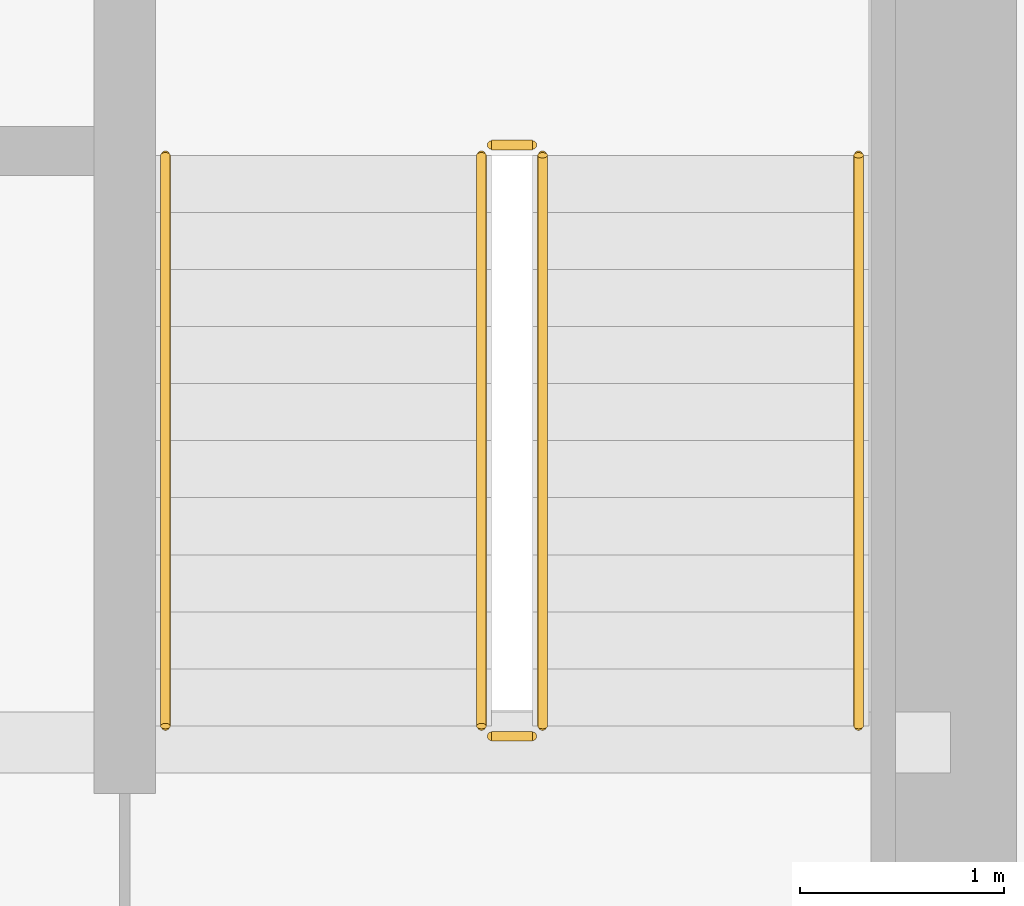
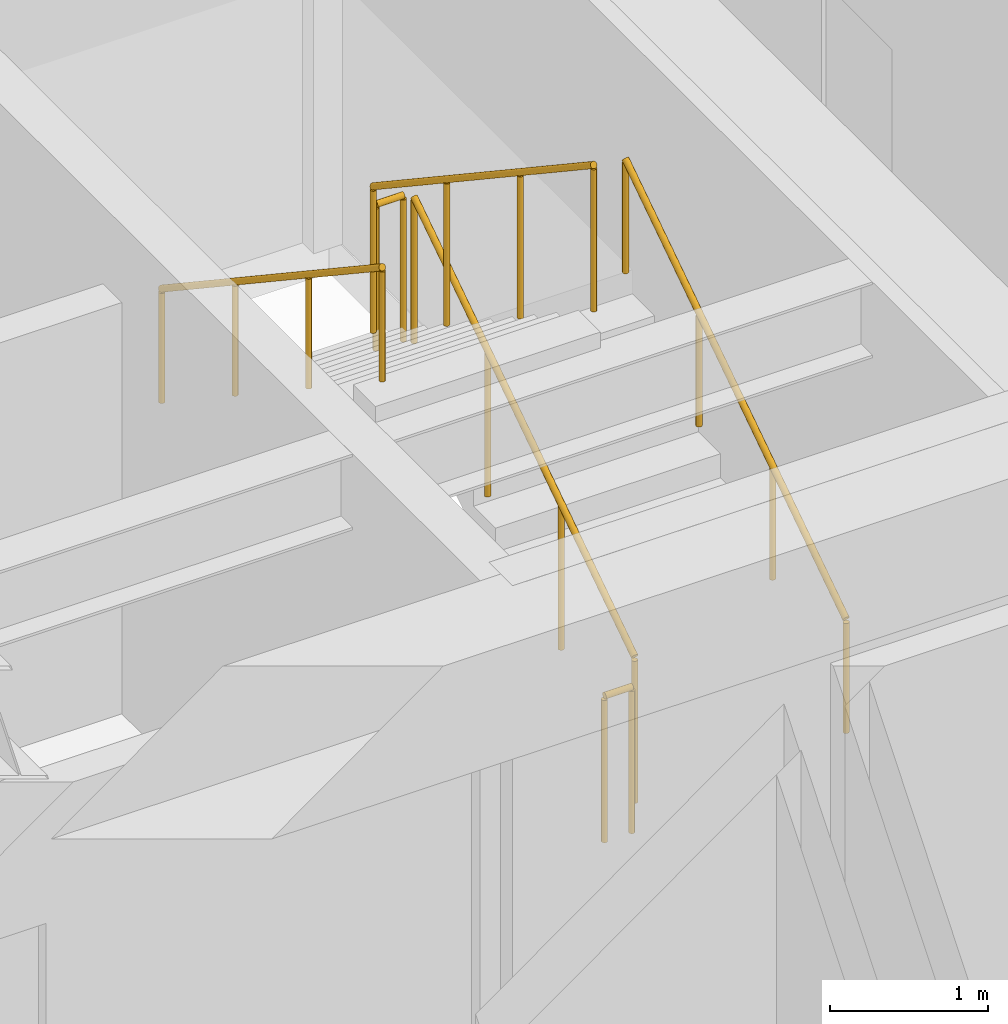
# One storey, part 31 of 31: 6 railings.
"""IFC4 building model written with IfcOpenShell, lengths in metres."""

import ifcopenshell
import ifcopenshell.guid

model = None  # the IFC model being written
_history = None  # IfcOwnerHistory: only IFC2X3 demands one
_inside = {}  # id of a spatial element -> (the spatial element, [elements in it])
_under = {}  # id of a project, library or spatial element -> (it, [spatial elements below it])
_declared = {}  # id of a project -> (the project, [libraries it declares])
_typed = {}  # id of a type object -> (the type object, [elements of that type])
_made_of = {}  # id of a material, layer set ... -> (it, [elements and type objects made of it])


def new_model(schema):
    """Start an empty IFC model of exactly this schema.

    Asked for "IFC4X3", IfcOpenShell would pick the latest addendum, in which some entities
    have other attributes; the version numbers below select the first issue.
    IFC2X3 requires an IfcOwnerHistory on every rooted entity: one is made here for all.
    """
    global model, _history
    if schema == "IFC4X3":
        model = ifcopenshell.file(schema_version=(4, 3, 0, 0))
    else:
        model = ifcopenshell.file(schema=schema)
    _inside.clear()
    _under.clear()
    _declared.clear()
    _typed.clear()
    _made_of.clear()
    _history = None
    if model.schema == "IFC2X3":
        org = make("IfcOrganization", Name="unknown")
        user = make(
            "IfcPersonAndOrganization",
            ThePerson=make("IfcPerson", FamilyName="unknown"),
            TheOrganization=org,
        )
        app = make(
            "IfcApplication",
            ApplicationDeveloper=org,
            Version="unknown",
            ApplicationFullName="unknown",
            ApplicationIdentifier="unknown",
        )
        _history = make(
            "IfcOwnerHistory",
            OwningUser=user,
            OwningApplication=app,
            ChangeAction="ADDED",
            CreationDate=0,
        )
    return model


def make(cls, **values):
    """One entity of the class cls with the attributes given. An attribute that is None is left unset."""
    return model.create_entity(
        cls, **{name: value for name, value in values.items() if value is not None}
    )


def rooted(cls, **values):
    """An entity with a GlobalId (a new one), such as an element, a storey or a relation."""
    return make(cls, GlobalId=ifcopenshell.guid.new(), OwnerHistory=_history, **values)


def si_unit(unit_type, name, prefix=None):
    """IfcSIUnit, for example si_unit("LENGTHUNIT", "METRE", prefix="MILLI")."""
    return make("IfcSIUnit", UnitType=unit_type, Prefix=prefix, Name=name)


def assignment(units):
    """IfcUnitAssignment: the units of a project."""
    return None if units is None else make("IfcUnitAssignment", Units=units)


def point(xyz):
    """IfcCartesianPoint."""
    return None if xyz is None else make("IfcCartesianPoint", Coordinates=xyz)


def direction(xyz):
    """IfcDirection."""
    return None if xyz is None else make("IfcDirection", DirectionRatios=xyz)


def frame(location, z_axis=None, x_axis=None):
    """IfcAxis2Placement3D, a coordinate frame: its origin and axes. An axis left out is left unset."""
    return make(
        "IfcAxis2Placement3D",
        Location=point(location),
        Axis=direction(z_axis),
        RefDirection=direction(x_axis),
    )


def frame_2d(location, x_axis=None):
    """IfcAxis2Placement2D, a coordinate frame in the plane: its origin and x axis."""
    return make(
        "IfcAxis2Placement2D", Location=point(location), RefDirection=direction(x_axis)
    )


def origin():
    """The frame at (0, 0, 0) with its axes left unset."""
    return frame((0.0, 0.0, 0.0))


def origin_2d():
    """The frame at (0, 0) in the plane with its x axis left unset."""
    return frame_2d((0.0, 0.0))


def place(relative_to, where):
    """IfcLocalPlacement: puts the frame where relative to a parent placement (None: the world)."""
    return make(
        "IfcLocalPlacement", PlacementRelTo=relative_to, RelativePlacement=where
    )


def context(
    kind, dimensions, precision=None, world=None, true_north=None, identifier=None
):
    """IfcGeometricRepresentationContext, for example the 3D "Model" context."""
    return make(
        "IfcGeometricRepresentationContext",
        ContextIdentifier=identifier,
        ContextType=kind,
        CoordinateSpaceDimension=dimensions,
        Precision=precision,
        WorldCoordinateSystem=world,
        TrueNorth=true_north,
    )


def subcontext(parent, identifier, kind, view, scale=None):
    """IfcGeometricRepresentationSubContext, for example "Body" below "Model"."""
    return make(
        "IfcGeometricRepresentationSubContext",
        ContextIdentifier=identifier,
        ContextType=kind,
        ParentContext=parent,
        TargetScale=scale,
        TargetView=view,
    )


def project(units=None, contexts=None):
    """IfcProject with its units and contexts."""
    return rooted(
        "IfcProject",
        Name="project",
        RepresentationContexts=contexts,
        UnitsInContext=assignment(units),
    )


def spatial(cls, under=None, at=None, **own):
    """A site, building, storey or space (cls), placed at a placement, below another one or the project."""
    s = rooted(cls, ObjectPlacement=at, **own)
    if under is not None:
        _under.setdefault(under.id(), (under, []))[1].append(s)
    return s


def profile(cls, at=None, kind="AREA", **sizes):
    """A parametric profile (cls). Its sizes go by their IFC names, for example OverallWidth=200.0."""
    return make(cls, ProfileType=kind, Position=at, **sizes)


def circle(**sizes):
    """IfcCircleProfileDef."""
    return profile("IfcCircleProfileDef", **sizes)


def extrude(swept, where, along, depth):
    """IfcExtrudedAreaSolid: the profile swept, set in the frame where, extruded along a direction by depth."""
    return make(
        "IfcExtrudedAreaSolid",
        SweptArea=swept,
        Position=where,
        ExtrudedDirection=direction(along),
        Depth=depth,
    )


def shape(context_of_items, identifier, shape_type, items):
    """IfcShapeRepresentation: the items that make up one representation, for example the "Body"."""
    return make(
        "IfcShapeRepresentation",
        ContextOfItems=context_of_items,
        RepresentationIdentifier=identifier,
        RepresentationType=shape_type,
        Items=items,
    )


def source(mapping_origin, context_of_items, identifier, shape_type, items):
    """IfcRepresentationMap: a shape defined once, which mapped items show again and again."""
    return make(
        "IfcRepresentationMap",
        MappingOrigin=mapping_origin,
        MappedRepresentation=shape(context_of_items, identifier, shape_type, items),
    )


def transform(
    local_origin,
    x_axis=None,
    y_axis=None,
    z_axis=None,
    scale=None,
    scale2=None,
    scale3=None,
    uniform=True,
):
    """IfcCartesianTransformationOperator3D, or its non-uniform kind. x_axis, y_axis, z_axis: its Axis1, 2, 3."""
    if uniform:
        return make(
            "IfcCartesianTransformationOperator3D",
            Axis1=direction(x_axis),
            Axis2=direction(y_axis),
            LocalOrigin=point(local_origin),
            Scale=scale,
            Axis3=direction(z_axis),
        )
    return make(
        "IfcCartesianTransformationOperator3DnonUniform",
        Axis1=direction(x_axis),
        Axis2=direction(y_axis),
        LocalOrigin=point(local_origin),
        Scale=scale,
        Axis3=direction(z_axis),
        Scale2=scale2,
        Scale3=scale3,
    )


def mapped(mapping_source, mapping_target):
    """IfcMappedItem: shows the shape of a source again, moved by a transform."""
    return make(
        "IfcMappedItem", MappingSource=mapping_source, MappingTarget=mapping_target
    )


def material(Name=None, Category=None):
    """IfcMaterial."""
    return make("IfcMaterial", Name=Name, Category=Category)


def made_of(thing, what):
    """Note that an element or type object is made of a material, layer set ...; save() writes the relation."""
    if what is not None:
        _made_of.setdefault(what.id(), (what, []))[1].append(thing)
    return thing


def type_object(cls, material=None, **own):
    """A type object (cls), such as IfcWallType, which elements share."""
    return made_of(rooted(cls, **own), material)


def type_shapes(of_type, sources):
    """Give a type object the sources (RepresentationMaps) that its elements show as mapped items."""
    of_type.RepresentationMaps = sources


def element(
    cls,
    number,
    at=None,
    inside=None,
    cuts=None,
    type_object=None,
    material=None,
    context=None,
    identifier="Body",
    shape_type=None,
    held_by="IfcProductDefinitionShape",
    body=None,
    shapes=None,
    **own,
):
    """One element of the class cls, such as IfcWall. Its Tag is "e" and its number.

    at: its placement. inside: the storey or other place that contains it. cuts: it is an
    opening in that element (IfcRelVoidsElement). A single representation is given by context,
    identifier, shape_type and body (its items); several are given by shapes. held_by: the class
    of the entity that holds the representations. save() writes the other relations.
    """
    e = rooted(cls, Tag="e%d" % number, ObjectPlacement=at, **own)
    if body is not None:
        shapes = [shape(context, identifier, shape_type, body)]
    if shapes is not None:
        e.Representation = make(held_by, Representations=shapes)
    if inside is not None:
        _inside.setdefault(inside.id(), (inside, []))[1].append(e)
    if cuts is not None:
        rooted(
            "IfcRelVoidsElement", RelatingBuildingElement=cuts, RelatedOpeningElement=e
        )
    if type_object is not None:
        _typed.setdefault(type_object.id(), (type_object, []))[1].append(e)
    return made_of(e, material)


def aggregate(whole, parts):
    """IfcRelAggregates: a whole, such as a stair, and the parts it consists of."""
    return rooted("IfcRelAggregates", RelatingObject=whole, RelatedObjects=parts)


def save(model, path):
    """Write the relations noted so far, then the file.

    IfcRelAggregates (storeys below a building ...), IfcRelContainedInSpatialStructure (elements
    in a storey), IfcRelDefinesByType, IfcRelAssociatesMaterial and IfcRelDeclares: one each for
    every whole, place, type object, material and project.
    """
    for whole, parts in _under.values():
        aggregate(whole, parts)
    for where, things in _inside.values():
        rooted(
            "IfcRelContainedInSpatialStructure",
            RelatedElements=things,
            RelatingStructure=where,
        )
    for kind, things in _typed.values():
        rooted("IfcRelDefinesByType", RelatedObjects=things, RelatingType=kind)
    for what, things in _made_of.values():
        rooted("IfcRelAssociatesMaterial", RelatedObjects=things, RelatingMaterial=what)
    for by, libraries in _declared.values():
        rooted("IfcRelDeclares", RelatingContext=by, RelatedDefinitions=libraries)
    model.write(path)


model = new_model("IFC4")

# Units and contexts
model_context = context("Model", 3, precision=1e-05, world=origin(), true_north=direction((0.0, 1.0)))
body_context = subcontext(model_context, "Body", "Model", "MODEL_VIEW")
ifc_project = project(units=[si_unit("LENGTHUNIT", "METRE"), si_unit("AREAUNIT", "SQUARE_METRE"), si_unit("VOLUMEUNIT", "CUBIC_METRE"), si_unit("PLANEANGLEUNIT", "RADIAN"), si_unit("MASSUNIT", "GRAM", prefix="KILO")], contexts=[model_context])

# Site, building, storey
site_placement = place(None, origin())
site = spatial("IfcSite", under=ifc_project, at=site_placement, CompositionType="ELEMENT")
building_placement = place(site_placement, origin())
building = spatial("IfcBuilding", under=site, at=building_placement, Name="Haelvirn Gate Laboratories", CompositionType="ELEMENT")
storey_placement = place(building_placement, frame((0.0, 0.0, 154.300048828125)))
storey = spatial("IfcBuildingStorey", under=building, at=storey_placement, Name="L37", CompositionType="ELEMENT", Elevation=154.300048828125)

# Railings
ifc_material_1 = material(Name="Galvanised steel SM355 & stainless top rail", Category="steel")
railing_type_1 = type_object("IfcRailingType", Name="RL-GUARD-1150", PredefinedType="GUARDRAIL", material=ifc_material_1)
shared_shape_1 = source(origin(), body_context, "Body", "SweptSolid", [
    extrude(circle(Radius=0.02392578125, at=origin_2d()), frame((0.0, 0.0, 1.1259765625), z_axis=(0.0, 0.832452072856, 0.554097055034), x_axis=(-1.0, 0.0, 0.0)), (0.0, 0.0, 1.0), 3.363525390625),
    extrude(circle(Radius=0.02099609375, at=origin_2d()), origin(), (0.0, 0.0, 1.0), 1.101806640625),
    extrude(circle(Radius=0.02099609375, at=origin_2d()), frame((0.0, 0.933349609375, 0.621337890625)), (0.0, 0.0, 1.0), 1.101806640625),
    extrude(circle(Radius=0.02099609375, at=origin_2d()), frame((0.0, 1.86669921875, 1.242431640625)), (0.0, 0.0, 1.0), 1.101806640625),
    extrude(circle(Radius=0.02099609375, at=origin_2d()), frame((0.0, 2.800048828125, 1.86376953125)), (0.0, 0.0, 1.0), 1.101806640625),
])
railing_1_placement = place(storey_placement, frame((65.39990234375, 26.699951171875, 0.186279296875)))
element("IfcRailing", 1, at=railing_1_placement, inside=storey, type_object=railing_type_1, Name="L37 ST2 stair guard 1", PredefinedType="GUARDRAIL", context=body_context, shape_type="MappedRepresentation", body=[
    mapped(shared_shape_1, transform((0.0, 0.0, 0.0), scale=1.0)),
])
shared_shape_2 = source(origin(), body_context, "Body", "SweptSolid", [
    extrude(circle(Radius=0.02392578125, at=origin_2d()), frame((0.0, 0.0, 1.1259765625), z_axis=(0.0, -0.832485552168, 0.554046753832), x_axis=(1.0, 0.0, 0.0)), (0.0, 0.0, 1.0), 3.363525390625),
    extrude(circle(Radius=0.02099609375, at=origin_2d()), origin(), (0.0, 0.0, 1.0), 1.101806640625),
    extrude(circle(Radius=0.02099609375, at=origin_2d()), frame((0.0, -0.933349609375, 0.62109375)), (0.0, 0.0, 1.0), 1.101806640625),
    extrude(circle(Radius=0.02099609375, at=origin_2d()), frame((0.0, -1.86669921875, 1.242431640625)), (0.0, 0.0, 1.0), 1.101806640625),
    extrude(circle(Radius=0.02099609375, at=origin_2d()), frame((0.0, -2.800048828125, 1.863525390625)), (0.0, 0.0, 1.0), 1.101806640625),
])
railing_2_placement = place(storey_placement, frame((65.10009765625, 29.5, 2.236328125)))
element("IfcRailing", 2, at=railing_2_placement, inside=storey, type_object=railing_type_1, Name="L37 ST2 stair guard 3", PredefinedType="GUARDRAIL", context=body_context, shape_type="MappedRepresentation", body=[
    mapped(shared_shape_2, transform((0.0, 0.0, 0.0), scale=1.0)),
])
ifc_material_2 = material(Name="Brushed stainless steel 316L", Category="steel")
railing_type_2 = type_object("IfcRailingType", Name="RL-HAND-920", PredefinedType="HANDRAIL", material=ifc_material_2)
shared_shape_3 = source(origin(), body_context, "Body", "SweptSolid", [
    extrude(circle(Radius=0.02392578125, at=origin_2d()), frame((0.0, 0.0, 0.8759765625), z_axis=(0.0, 0.832452072856, 0.554097055034), x_axis=(-1.0, 0.0, 0.0)), (0.0, 0.0, 1.0), 3.363525390625),
    extrude(circle(Radius=0.02099609375, at=origin_2d()), origin(), (0.0, 0.0, 1.0), 0.851806640625),
    extrude(circle(Radius=0.02099609375, at=origin_2d()), frame((0.0, 0.933349609375, 0.621337890625)), (0.0, 0.0, 1.0), 0.851806640625),
    extrude(circle(Radius=0.02099609375, at=origin_2d()), frame((0.0, 1.86669921875, 1.242431640625)), (0.0, 0.0, 1.0), 0.851806640625),
    extrude(circle(Radius=0.02099609375, at=origin_2d()), frame((0.0, 2.800048828125, 1.86376953125)), (0.0, 0.0, 1.0), 0.851806640625),
])
railing_3_placement = place(storey_placement, frame((66.949951171875, 26.699951171875, 0.186279296875)))
element("IfcRailing", 3, at=railing_3_placement, inside=storey, type_object=railing_type_2, Name="L37 ST2 stair handrail 1", PredefinedType="HANDRAIL", context=body_context, shape_type="MappedRepresentation", body=[
    mapped(shared_shape_3, transform((0.0, 0.0, 0.0), scale=1.0)),
])
shared_shape_4 = source(origin(), body_context, "Body", "SweptSolid", [
    extrude(circle(Radius=0.02392578125, at=origin_2d()), frame((0.0, 0.0, 0.8759765625), z_axis=(0.0, -0.832485552168, 0.554046753832), x_axis=(1.0, 0.0, 0.0)), (0.0, 0.0, 1.0), 3.363525390625),
    extrude(circle(Radius=0.02099609375, at=origin_2d()), origin(), (0.0, 0.0, 1.0), 0.851806640625),
    extrude(circle(Radius=0.02099609375, at=origin_2d()), frame((0.0, -0.933349609375, 0.62109375)), (0.0, 0.0, 1.0), 0.851806640625),
    extrude(circle(Radius=0.02099609375, at=origin_2d()), frame((0.0, -1.86669921875, 1.242431640625)), (0.0, 0.0, 1.0), 0.851806640625),
    extrude(circle(Radius=0.02099609375, at=origin_2d()), frame((0.0, -2.800048828125, 1.863525390625)), (0.0, 0.0, 1.0), 0.851806640625),
])
type_shapes(railing_type_2, [shared_shape_3, shared_shape_4])
railing_4_placement = place(storey_placement, frame((63.550048828125, 29.5, 2.236328125)))
element("IfcRailing", 4, at=railing_4_placement, inside=storey, type_object=railing_type_2, Name="L37 ST2 stair handrail 2", PredefinedType="HANDRAIL", context=body_context, shape_type="MappedRepresentation", body=[
    mapped(shared_shape_4, transform((0.0, 0.0, 0.0), scale=1.0)),
])
shared_shape_5 = source(origin(), body_context, "Body", "SweptSolid", [
    extrude(circle(Radius=0.02392578125, at=origin_2d()), frame((0.0, 0.0, 1.1259765625), z_axis=(-1.0, 0.0, 0.0), x_axis=(0.0, -1.0, 0.0)), (0.0, 0.0, 1.0), 0.2001953125),
    extrude(circle(Radius=0.02099609375, at=origin_2d()), origin(), (0.0, 0.0, 1.0), 1.101806640625),
    extrude(circle(Radius=0.02099609375, at=origin_2d()), frame((-0.2001953125, 0.0, 0.0)), (0.0, 0.0, 1.0), 1.101806640625),
])
type_shapes(railing_type_1, [shared_shape_1, shared_shape_2, shared_shape_5])
for number, where, name in (
    (5, (65.35009765625, 29.550048828125, 2.050048828125), "L37 ST2 stair guard 2"),
    (6, (65.35009765625, 26.64990234375, 0.0), "L37 ST2 stair guard 4"),
):
    element("IfcRailing", number, at=place(storey_placement, frame(where)), inside=storey, type_object=railing_type_1, Name=name, PredefinedType="GUARDRAIL", context=body_context, shape_type="MappedRepresentation", body=[
        mapped(shared_shape_5, transform((0.0, 0.0, 0.0), scale=1.0)),
    ])

save(model, "model.ifc")
